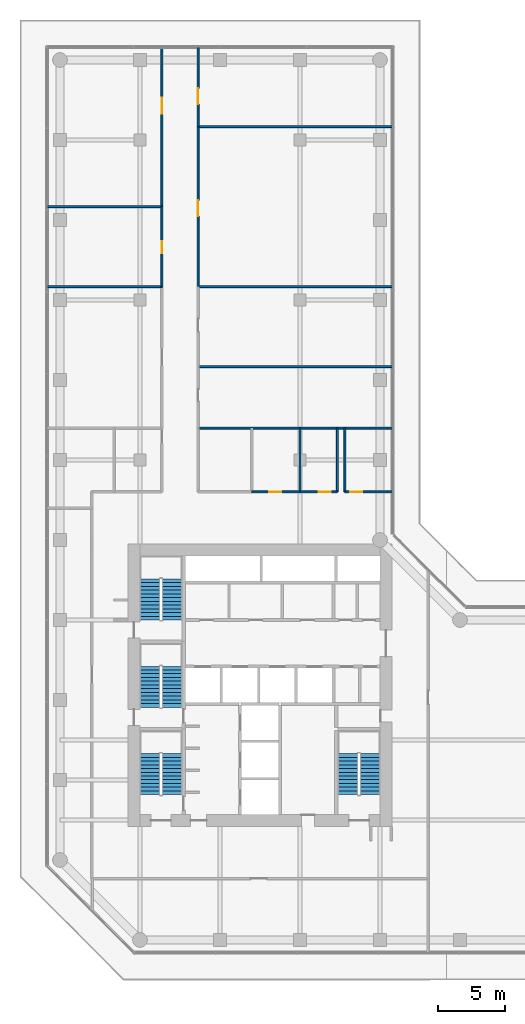
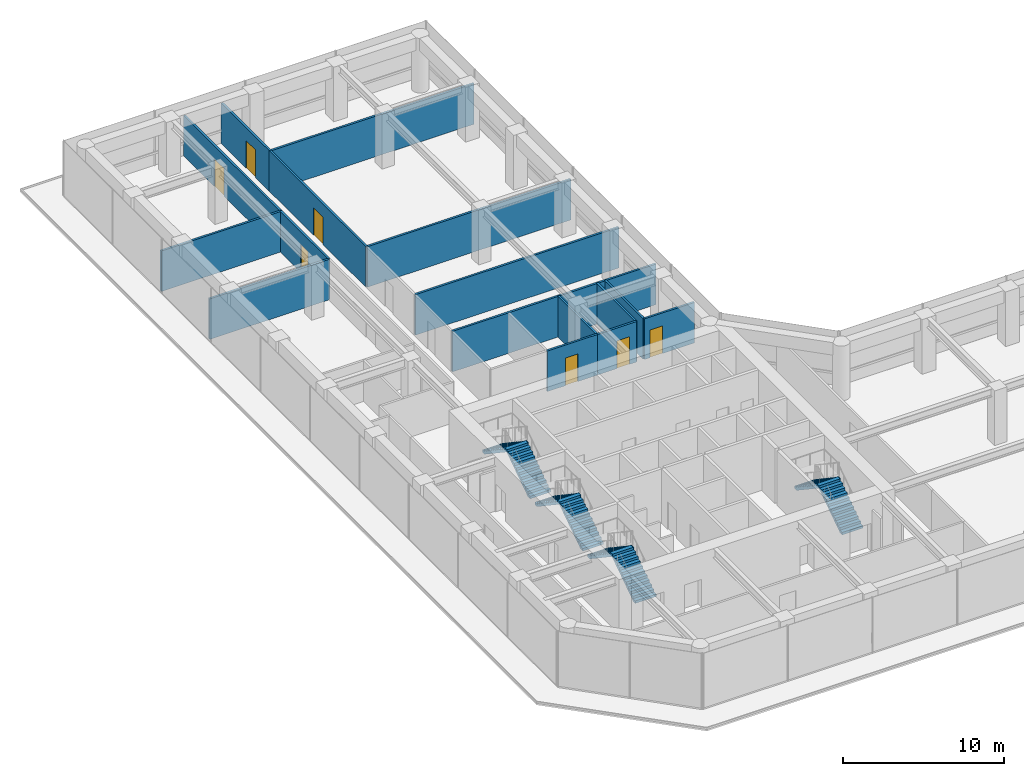
# One storey, part 23 of 24: 16 walls, 8 stair flights, 7 doors, 7 openings, 4 elements without a shape of their own.
"""IFC4 building model written with IfcOpenShell, lengths in metres."""

from ifc_helpers import new_model, si_unit, direction, frame, frame_2d, origin, place, context, subcontext, project, spatial, polyline, rectangle, outline, extrude, material, layer, layer_set, type_object, element, fill, aggregate, save


model = new_model("IFC4")

# Units and contexts
model_context = context("Model", 3, precision=1e-05, world=origin(), true_north=direction((0.0, 1.0)))
body_context = subcontext(model_context, "Body", "Model", "MODEL_VIEW")
ifc_project = project(units=[si_unit("LENGTHUNIT", "METRE"), si_unit("AREAUNIT", "SQUARE_METRE"), si_unit("VOLUMEUNIT", "CUBIC_METRE"), si_unit("PLANEANGLEUNIT", "RADIAN"), si_unit("MASSUNIT", "GRAM", prefix="KILO")], contexts=[model_context])

# Site, building, storey
site_placement = place(None, origin())
site = spatial("IfcSite", under=ifc_project, at=site_placement, CompositionType="ELEMENT")
building_placement = place(site_placement, origin())
building = spatial("IfcBuilding", under=site, at=building_placement, Name="Welwitschia Terrace Campus", CompositionType="ELEMENT")
storey_placement = place(building_placement, frame((0.0, 0.0, 20.0)))
storey = spatial("IfcBuildingStorey", under=building, at=storey_placement, Name="L04", CompositionType="ELEMENT", Elevation=20.0)

# Walls
ifc_material_1 = material(Name="Gypsum board on steel studs", Category="steel")
ifc_layer = layer(ifc_material_1, 0.14990234375)
ifc_layer_set = layer_set([ifc_layer], Name="Gypsum board on steel studs")
wall_type = type_object("IfcWallType", Name="Corridor partition 150 EI 30", PredefinedType="PARTITIONING", material=ifc_layer_set)
for number, where, z_axis, x_axis, name in (
    (1, (-0.969970703125, 45.0, 0.0), (0.0, 0.0, 1.0), (1.0, 0.0, 0.0), "Partition"),
    (2, (-0.969970703125, 51.0, 0.0), (0.0, 0.0, 1.0), (1.0, 0.0, 0.0), "Partition"),
):
    element("IfcWall", number, at=place(storey_placement, frame(where, z_axis=z_axis, x_axis=x_axis)), inside=storey, type_object=wall_type, Name=name, PredefinedType="PARTITIONING", context=body_context, shape_type="SweptSolid", body=[
        extrude(rectangle(XDim=8.619873046875, YDim=0.14990234375, at=frame_2d((4.31005859375, 0.0))), origin(), (0.0, 0.0, 1.0), 3.080078125),
    ])

# Wall, opening, door
wall_1_placement = place(storey_placement, frame((7.64990234375, 45.0, 0.0), z_axis=(0.0, 0.0, 1.0), x_axis=(0.0, 1.0, 0.0)))
wall_1 = element("IfcWall", 3, at=wall_1_placement, inside=storey, type_object=wall_type, Name="Partition", PredefinedType="PARTITIONING", context=body_context, shape_type="SweptSolid", body=[
    extrude(rectangle(XDim=6.0, YDim=0.14990234375, at=frame_2d((3.0, 0.0))), origin(), (0.0, 0.0, 1.0), 3.080078125),
])
opening_1_placement = place(wall_1_placement, frame((2.5, 0.0, 0.0)))
opening_1 = element("IfcOpeningElement", 4, at=opening_1_placement, cuts=wall_1, Name="Opening DI09", PredefinedType="OPENING", context=body_context, shape_type="SweptSolid", body=[
    extrude(rectangle(XDim=0.89990234375, YDim=2.10009765625, at=frame_2d((0.449951171875, 1.050048828125))), frame((0.0, 0.0849609375, 0.0), z_axis=(0.0, -1.0, 0.0), x_axis=(1.0, 0.0, 0.0)), (0.0, 0.0, 1.0), 0.169921875),
])
ifc_material_2 = material(Name="Timber veneered door", Category="wood")
door_type_1 = type_object("IfcDoorType", Name="Interior door DI09", OperationType="NOTDEFINED", PredefinedType="DOOR", material=ifc_material_2)
door_1_placement = place(opening_1_placement, origin())
door_1 = element("IfcDoor", 5, at=door_1_placement, inside=storey, type_object=door_type_1, Name="Door L04 124", OperationType="SINGLE_SWING_LEFT", OverallHeight=2.10009765625, OverallWidth=0.89990234375, PredefinedType="DOOR", context=body_context, shape_type="SweptSolid", body=[
    extrude(rectangle(XDim=0.89990234375, YDim=2.10009765625, at=frame_2d((0.449951171875, 1.050048828125))), frame((0.0, 0.02490234375, 0.0), z_axis=(0.0, -1.0, 0.0), x_axis=(1.0, 0.0, 0.0)), (0.0, 0.0, 1.0), 0.050048828125),
])
fill(opening_1, door_1)

wall_2_placement = place(storey_placement, frame((7.64990234375, 51.0, 0.0), z_axis=(0.0, 0.0, 1.0), x_axis=(0.0, 1.0, 0.0)))
wall_2 = element("IfcWall", 6, at=wall_2_placement, inside=storey, type_object=wall_type, Name="Partition", PredefinedType="PARTITIONING", context=body_context, shape_type="SweptSolid", body=[
    extrude(rectangle(XDim=11.969970703125, YDim=0.14990234375, at=frame_2d((5.98486328125, 0.0))), origin(), (0.0, 0.0, 1.0), 3.080078125),
])
opening_2_placement = place(wall_2_placement, frame((6.969970703125, 0.0, 0.0)))
opening_2 = element("IfcOpeningElement", 7, at=opening_2_placement, cuts=wall_2, Name="Opening DI12", PredefinedType="OPENING", context=body_context, shape_type="SweptSolid", body=[
    extrude(rectangle(XDim=1.199951171875, YDim=2.10009765625, at=frame_2d((0.60009765625, 1.050048828125))), frame((0.0, 0.0849609375, 0.0), z_axis=(0.0, -1.0, 0.0), x_axis=(1.0, 0.0, 0.0)), (0.0, 0.0, 1.0), 0.169921875),
])
ifc_material_3 = material(Name="Timber veneered door", Category="wood")
door_type_2 = type_object("IfcDoorType", Name="Interior door DI12", OperationType="NOTDEFINED", PredefinedType="DOOR", material=ifc_material_3)
door_2_placement = place(opening_2_placement, origin())
door_2 = element("IfcDoor", 8, at=door_2_placement, inside=storey, type_object=door_type_2, Name="Door L04 125", OperationType="SINGLE_SWING_RIGHT", OverallHeight=2.10009765625, OverallWidth=1.199951171875, PredefinedType="DOOR", context=body_context, shape_type="SweptSolid", body=[
    extrude(rectangle(XDim=1.199951171875, YDim=2.10009765625, at=frame_2d((0.60009765625, 1.050048828125))), frame((0.0, 0.02490234375, 0.0), z_axis=(0.0, -1.0, 0.0), x_axis=(1.0, 0.0, 0.0)), (0.0, 0.0, 1.0), 0.050048828125),
])
fill(opening_2, door_2)

# Walls
for number, where, z_axis, x_axis, name in (
    (9, (10.35009765625, 34.39990234375, 0.0), (0.0, 0.0, 1.0), (1.0, 0.0, 0.0), "Partition"),
    (10, (10.35009765625, 39.0, 0.0), (0.0, 0.0, 1.0), (1.0, 0.0, 0.0), "Partition"),
    (11, (10.35009765625, 45.0, 0.0), (0.0, 0.0, 1.0), (1.0, 0.0, 0.0), "Partition"),
):
    element("IfcWall", number, at=place(storey_placement, frame(where, z_axis=z_axis, x_axis=x_axis)), inside=storey, type_object=wall_type, Name=name, PredefinedType="PARTITIONING", context=body_context, shape_type="SweptSolid", body=[
        extrude(rectangle(XDim=14.619873046875, YDim=0.14990234375, at=frame_2d((7.31005859375, 0.0))), origin(), (0.0, 0.0, 1.0), 3.080078125),
    ])

# Wall, opening, door
wall_3_placement = place(storey_placement, frame((10.35009765625, 57.0, 0.0), z_axis=(0.0, 0.0, 1.0), x_axis=(0.0, -1.0, 0.0)))
wall_3 = element("IfcWall", 12, at=wall_3_placement, inside=storey, type_object=wall_type, Name="Partition", PredefinedType="PARTITIONING", context=body_context, shape_type="SweptSolid", body=[
    extrude(rectangle(XDim=12.0, YDim=0.14990234375, at=frame_2d((6.0, 0.0))), origin(), (0.0, 0.0, 1.0), 3.080078125),
])
opening_3_placement = place(wall_3_placement, frame((5.5, 0.0, 0.0)))
opening_3 = element("IfcOpeningElement", 13, at=opening_3_placement, cuts=wall_3, Name="Opening DI12", PredefinedType="OPENING", context=body_context, shape_type="SweptSolid", body=[
    extrude(rectangle(XDim=1.199951171875, YDim=2.10009765625, at=frame_2d((0.60009765625, 1.050048828125))), frame((0.0, 0.0849609375, 0.0), z_axis=(0.0, -1.0, 0.0), x_axis=(1.0, 0.0, 0.0)), (0.0, 0.0, 1.0), 0.169921875),
])
door_3_placement = place(opening_3_placement, origin())
door_3 = element("IfcDoor", 14, at=door_3_placement, inside=storey, type_object=door_type_2, Name="Door L04 128", OperationType="SINGLE_SWING_LEFT", OverallHeight=2.10009765625, OverallWidth=1.199951171875, PredefinedType="DOOR", context=body_context, shape_type="SweptSolid", body=[
    extrude(rectangle(XDim=1.199951171875, YDim=2.10009765625, at=frame_2d((0.60009765625, 1.050048828125))), frame((0.0, 0.02490234375, 0.0), z_axis=(0.0, -1.0, 0.0), x_axis=(1.0, 0.0, 0.0)), (0.0, 0.0, 1.0), 0.050048828125),
])
fill(opening_3, door_3)

# Wall
wall_4_placement = place(storey_placement, frame((10.35009765625, 57.0, 0.0), z_axis=(0.0, 0.0, 1.0), x_axis=(1.0, 0.0, 0.0)))
element("IfcWall", 15, at=wall_4_placement, inside=storey, type_object=wall_type, Name="Partition", PredefinedType="PARTITIONING", context=body_context, shape_type="SweptSolid", body=[
    extrude(rectangle(XDim=14.60498046875, YDim=0.14990234375, at=frame_2d((7.302490234375, 0.0))), origin(), (0.0, 0.0, 1.0), 3.080078125),
])

# Wall, opening, door
wall_5_placement = place(storey_placement, frame((10.35009765625, 62.969970703125, 0.0), z_axis=(0.0, 0.0, 1.0), x_axis=(0.0, -1.0, 0.0)))
wall_5 = element("IfcWall", 16, at=wall_5_placement, inside=storey, type_object=wall_type, Name="Partition", PredefinedType="PARTITIONING", context=body_context, shape_type="SweptSolid", body=[
    extrude(rectangle(XDim=5.969970703125, YDim=0.14990234375, at=frame_2d((2.98486328125, 0.0))), origin(), (0.0, 0.0, 1.0), 3.080078125),
])
opening_4_placement = place(wall_5_placement, frame((3.070068359375, 0.0, 0.0)))
opening_4 = element("IfcOpeningElement", 17, at=opening_4_placement, cuts=wall_5, Name="Opening DI12", PredefinedType="OPENING", context=body_context, shape_type="SweptSolid", body=[
    extrude(rectangle(XDim=1.199951171875, YDim=2.10009765625, at=frame_2d((0.60009765625, 1.050048828125))), frame((0.0, 0.0849609375, 0.0), z_axis=(0.0, -1.0, 0.0), x_axis=(1.0, 0.0, 0.0)), (0.0, 0.0, 1.0), 0.169921875),
])
door_4_placement = place(opening_4_placement, origin())
door_4 = element("IfcDoor", 18, at=door_4_placement, inside=storey, type_object=door_type_2, Name="Door L04 129", OperationType="SINGLE_SWING_RIGHT", OverallHeight=2.10009765625, OverallWidth=1.199951171875, PredefinedType="DOOR", context=body_context, shape_type="SweptSolid", body=[
    extrude(rectangle(XDim=1.199951171875, YDim=2.10009765625, at=frame_2d((0.60009765625, 1.050048828125))), frame((0.0, 0.02490234375, 0.0), z_axis=(0.0, -1.0, 0.0), x_axis=(1.0, 0.0, 0.0)), (0.0, 0.0, 1.0), 0.050048828125),
])
fill(opening_4, door_4)

wall_6_placement = place(storey_placement, frame((14.39990234375, 29.60009765625, 0.0), z_axis=(0.0, 0.0, 1.0), x_axis=(1.0, 0.0, 0.0)))
wall_6 = element("IfcWall", 19, at=wall_6_placement, inside=storey, type_object=wall_type, Name="Partition", PredefinedType="PARTITIONING", context=body_context, shape_type="SweptSolid", body=[
    extrude(rectangle(XDim=3.60009765625, YDim=0.14990234375, at=frame_2d((1.800048828125, 0.0))), origin(), (0.0, 0.0, 1.0), 3.080078125),
])
opening_5_placement = place(wall_6_placement, frame((1.300048828125, 0.0, 0.0)))
opening_5 = element("IfcOpeningElement", 20, at=opening_5_placement, cuts=wall_6, Name="Opening DI09", PredefinedType="OPENING", context=body_context, shape_type="SweptSolid", body=[
    extrude(rectangle(XDim=0.89990234375, YDim=2.10009765625, at=frame_2d((0.449951171875, 1.050048828125))), frame((0.0, 0.0849609375, 0.0), z_axis=(0.0, -1.0, 0.0), x_axis=(1.0, 0.0, 0.0)), (0.0, 0.0, 1.0), 0.169921875),
])
door_5_placement = place(opening_5_placement, origin())
door_5 = element("IfcDoor", 21, at=door_5_placement, inside=storey, type_object=door_type_1, Name="Door L04 130", OperationType="SINGLE_SWING_LEFT", OverallHeight=2.10009765625, OverallWidth=0.89990234375, PredefinedType="DOOR", context=body_context, shape_type="SweptSolid", body=[
    extrude(rectangle(XDim=0.89990234375, YDim=2.10009765625, at=frame_2d((0.449951171875, 1.050048828125))), frame((0.0, 0.02490234375, 0.0), z_axis=(0.0, -1.0, 0.0), x_axis=(1.0, 0.0, 0.0)), (0.0, 0.0, 1.0), 0.050048828125),
])
fill(opening_5, door_5)

# Wall
wall_7_placement = place(storey_placement, frame((18.0, 29.60009765625, 0.0), z_axis=(0.0, 0.0, 1.0), x_axis=(0.0, 1.0, 0.0)))
element("IfcWall", 22, at=wall_7_placement, inside=storey, type_object=wall_type, Name="Partition", PredefinedType="PARTITIONING", context=body_context, shape_type="SweptSolid", body=[
    extrude(rectangle(XDim=4.7998046875, YDim=0.14990234375, at=frame_2d((2.39990234375, 0.0))), origin(), (0.0, 0.0, 1.0), 3.080078125),
])

# Wall, opening, door
wall_8_placement = place(storey_placement, frame((18.0, 29.60009765625, 0.0), z_axis=(0.0, 0.0, 1.0), x_axis=(1.0, 0.0, 0.0)))
wall_8 = element("IfcWall", 23, at=wall_8_placement, inside=storey, type_object=wall_type, Name="Partition", PredefinedType="PARTITIONING", context=body_context, shape_type="SweptSolid", body=[
    extrude(rectangle(XDim=2.800048828125, YDim=0.14990234375, at=frame_2d((1.39990234375, 0.0))), origin(), (0.0, 0.0, 1.0), 3.080078125),
])
opening_6_placement = place(wall_8_placement, frame((1.39990234375, 0.0, 0.0)))
opening_6 = element("IfcOpeningElement", 24, at=opening_6_placement, cuts=wall_8, Name="Opening DI09", PredefinedType="OPENING", context=body_context, shape_type="SweptSolid", body=[
    extrude(rectangle(XDim=0.89990234375, YDim=2.10009765625, at=frame_2d((0.449951171875, 1.050048828125))), frame((0.0, 0.0849609375, 0.0), z_axis=(0.0, -1.0, 0.0), x_axis=(1.0, 0.0, 0.0)), (0.0, 0.0, 1.0), 0.169921875),
])
door_6_placement = place(opening_6_placement, origin())
door_6 = element("IfcDoor", 25, at=door_6_placement, inside=storey, type_object=door_type_1, Name="Door L04 131", OperationType="SINGLE_SWING_RIGHT", OverallHeight=2.10009765625, OverallWidth=0.89990234375, PredefinedType="DOOR", context=body_context, shape_type="SweptSolid", body=[
    extrude(rectangle(XDim=0.89990234375, YDim=2.10009765625, at=frame_2d((0.449951171875, 1.050048828125))), frame((0.0, 0.02490234375, 0.0), z_axis=(0.0, -1.0, 0.0), x_axis=(1.0, 0.0, 0.0)), (0.0, 0.0, 1.0), 0.050048828125),
])
fill(opening_6, door_6)

# Walls
for number, where, z_axis, x_axis, name in (
    (26, (20.800048828125, 29.60009765625, 0.0), (0.0, 0.0, 1.0), (0.0, 1.0, 0.0), "Partition"),
    (27, (21.3701171875, 29.60009765625, 0.0), (0.0, 0.0, 1.0), (0.0, 1.0, 0.0), "Partition"),
):
    element("IfcWall", number, at=place(storey_placement, frame(where, z_axis=z_axis, x_axis=x_axis)), inside=storey, type_object=wall_type, Name=name, PredefinedType="PARTITIONING", context=body_context, shape_type="SweptSolid", body=[
        extrude(rectangle(XDim=4.7998046875, YDim=0.14990234375, at=frame_2d((2.39990234375, 0.0))), origin(), (0.0, 0.0, 1.0), 3.080078125),
    ])

# Wall, opening, door
wall_9_placement = place(storey_placement, frame((21.3701171875, 29.60009765625, 0.0), z_axis=(0.0, 0.0, 1.0), x_axis=(1.0, 0.0, 0.0)))
wall_9 = element("IfcWall", 28, at=wall_9_placement, inside=storey, type_object=wall_type, Name="Partition", PredefinedType="PARTITIONING", context=body_context, shape_type="SweptSolid", body=[
    extrude(rectangle(XDim=3.599853515625, YDim=0.14990234375, at=frame_2d((1.7998046875, 0.0))), origin(), (0.0, 0.0, 1.0), 3.080078125),
])
opening_7_placement = place(wall_9_placement, frame((0.39990234375, 0.0, 0.0)))
opening_7 = element("IfcOpeningElement", 29, at=opening_7_placement, cuts=wall_9, Name="Opening DI09", PredefinedType="OPENING", context=body_context, shape_type="SweptSolid", body=[
    extrude(rectangle(XDim=0.89990234375, YDim=2.10009765625, at=frame_2d((0.449951171875, 1.050048828125))), frame((0.0, 0.0849609375, 0.0), z_axis=(0.0, -1.0, 0.0), x_axis=(1.0, 0.0, 0.0)), (0.0, 0.0, 1.0), 0.169921875),
])
door_7_placement = place(opening_7_placement, origin())
door_7 = element("IfcDoor", 30, at=door_7_placement, inside=storey, type_object=door_type_1, Name="Door L04 132", OperationType="SINGLE_SWING_LEFT", OverallHeight=2.10009765625, OverallWidth=0.89990234375, PredefinedType="DOOR", context=body_context, shape_type="SweptSolid", body=[
    extrude(rectangle(XDim=0.89990234375, YDim=2.10009765625, at=frame_2d((0.449951171875, 1.050048828125))), frame((0.0, 0.02490234375, 0.0), z_axis=(0.0, -1.0, 0.0), x_axis=(1.0, 0.0, 0.0)), (0.0, 0.0, 1.0), 0.050048828125),
])
fill(opening_7, door_7)

# Stair, stair flights
ifc_material_4 = material(Name="Concrete C40/50", Category="concrete")
stair_type = type_object("IfcStairType", Name="Stair 24R 188 W1500", PredefinedType="HALF_TURN_STAIR", material=ifc_material_4)
stair_1_placement = place(storey_placement, origin())
stair_1 = element("IfcStair", 31, at=stair_1_placement, inside=storey, type_object=stair_type, Name="L04 Exit stair S1", PredefinedType="HALF_TURN_STAIR")
ifc_material_5 = material(Name="Concrete C40/50", Category="concrete")
stair_flight_type = type_object("IfcStairFlightType", Name="Stair flight 24R 188 W1500", PredefinedType="STRAIGHT", material=ifc_material_5)
stair_flight_1_placement = place(storey_placement, frame((8.39990234375, 6.89990234375, 0.0), z_axis=(0.0, 0.0, 1.0), x_axis=(0.0, 1.0, 0.0)))
stair_flight_1 = element("IfcStairFlight", 32, at=stair_flight_1_placement, type_object=stair_flight_type, Name="S1 flight 1", NumberOfRisers=12, NumberOfTreads=11, PredefinedType="STRAIGHT", RiserHeight=0.1875, TreadLength=0.28, context=body_context, shape_type="SweptSolid", body=[
    extrude(outline(polyline([(0.0, 0.0), (0.0, 0.1875), (0.280029296875, 0.1875), (0.280029296875, 0.375), (0.56005859375, 0.375), (0.56005859375, 0.5625), (0.840087890625, 0.5625), (0.840087890625, 0.75), (1.1201171875, 0.75), (1.1201171875, 0.9375), (1.39990234375, 0.9375), (1.39990234375, 1.125), (1.679931640625, 1.125), (1.679931640625, 1.3125), (1.9599609375, 1.3125), (1.9599609375, 1.5), (2.239990234375, 1.5), (2.239990234375, 1.6875), (2.52001953125, 1.6875), (2.52001953125, 1.875), (2.800048828125, 1.875), (2.800048828125, 2.0625), (3.080078125, 2.0625), (3.080078125, 2.25), (3.080078125, 1.882080078125), (0.26953125, 0.0), (0.0, 0.0)])), frame((0.0, 0.75, 0.0), z_axis=(0.0, -1.0, 0.0), x_axis=(1.0, 0.0, 0.0)), (0.0, 0.0, 1.0), 1.5),
])
stair_flight_2_placement = place(storey_placement, frame((6.75, 9.97998046875, 2.25), z_axis=(0.0, 0.0, 1.0), x_axis=(0.0, -1.0, 0.0)))
stair_flight_2 = element("IfcStairFlight", 33, at=stair_flight_2_placement, type_object=stair_flight_type, Name="S1 flight 2", NumberOfRisers=12, NumberOfTreads=11, PredefinedType="STRAIGHT", RiserHeight=0.1875, TreadLength=0.28, context=body_context, shape_type="SweptSolid", body=[
    extrude(outline(polyline([(0.0, 0.0), (0.0, 0.1875), (0.280029296875, 0.1875), (0.280029296875, 0.375), (0.56005859375, 0.375), (0.56005859375, 0.5625), (0.840087890625, 0.5625), (0.840087890625, 0.75), (1.1201171875, 0.75), (1.1201171875, 0.9375), (1.39990234375, 0.9375), (1.39990234375, 1.125), (1.679931640625, 1.125), (1.679931640625, 1.3125), (1.9599609375, 1.3125), (1.9599609375, 1.5), (2.239990234375, 1.5), (2.239990234375, 1.6875), (2.52001953125, 1.6875), (2.52001953125, 1.875), (2.800048828125, 1.875), (2.800048828125, 2.0625), (3.080078125, 2.0625), (3.080078125, 2.25), (3.080078125, 1.882080078125), (0.26953125, 0.0), (0.0, 0.0)])), frame((0.0, 0.75, 0.0), z_axis=(0.0, -1.0, 0.0), x_axis=(1.0, 0.0, 0.0)), (0.0, 0.0, 1.0), 1.5),
])
aggregate(stair_1, [stair_flight_1, stair_flight_2])

stair_2_placement = place(storey_placement, origin())
stair_2 = element("IfcStair", 34, at=stair_2_placement, inside=storey, type_object=stair_type, Name="L04 Exit stair S3", PredefinedType="HALF_TURN_STAIR")
stair_flight_3_placement = place(storey_placement, frame((8.39990234375, 13.449951171875, 0.0), z_axis=(0.0, 0.0, 1.0), x_axis=(0.0, 1.0, 0.0)))
stair_flight_3 = element("IfcStairFlight", 35, at=stair_flight_3_placement, type_object=stair_flight_type, Name="S3 flight 1", NumberOfRisers=12, NumberOfTreads=11, PredefinedType="STRAIGHT", RiserHeight=0.1875, TreadLength=0.28, context=body_context, shape_type="SweptSolid", body=[
    extrude(outline(polyline([(0.0, 0.0), (0.0, 0.1875), (0.280029296875, 0.1875), (0.280029296875, 0.375), (0.56005859375, 0.375), (0.56005859375, 0.5625), (0.840087890625, 0.5625), (0.840087890625, 0.75), (1.1201171875, 0.75), (1.1201171875, 0.9375), (1.39990234375, 0.9375), (1.39990234375, 1.125), (1.679931640625, 1.125), (1.679931640625, 1.3125), (1.9599609375, 1.3125), (1.9599609375, 1.5), (2.239990234375, 1.5), (2.239990234375, 1.6875), (2.52001953125, 1.6875), (2.52001953125, 1.875), (2.800048828125, 1.875), (2.800048828125, 2.0625), (3.080078125, 2.0625), (3.080078125, 2.25), (3.080078125, 1.882080078125), (0.26953125, 0.0), (0.0, 0.0)])), frame((0.0, 0.75, 0.0), z_axis=(0.0, -1.0, 0.0), x_axis=(1.0, 0.0, 0.0)), (0.0, 0.0, 1.0), 1.5),
])
stair_flight_4_placement = place(storey_placement, frame((6.75, 16.530029296875, 2.25), z_axis=(0.0, 0.0, 1.0), x_axis=(0.0, -1.0, 0.0)))
stair_flight_4 = element("IfcStairFlight", 36, at=stair_flight_4_placement, type_object=stair_flight_type, Name="S3 flight 2", NumberOfRisers=12, NumberOfTreads=11, PredefinedType="STRAIGHT", RiserHeight=0.1875, TreadLength=0.28, context=body_context, shape_type="SweptSolid", body=[
    extrude(outline(polyline([(0.0, 0.0), (0.0, 0.1875), (0.280029296875, 0.1875), (0.280029296875, 0.375), (0.56005859375, 0.375), (0.56005859375, 0.5625), (0.840087890625, 0.5625), (0.840087890625, 0.75), (1.1201171875, 0.75), (1.1201171875, 0.9375), (1.39990234375, 0.9375), (1.39990234375, 1.125), (1.679931640625, 1.125), (1.679931640625, 1.3125), (1.9599609375, 1.3125), (1.9599609375, 1.5), (2.239990234375, 1.5), (2.239990234375, 1.6875), (2.52001953125, 1.6875), (2.52001953125, 1.875), (2.800048828125, 1.875), (2.800048828125, 2.0625), (3.080078125, 2.0625), (3.080078125, 2.25), (3.080078125, 1.882080078125), (0.26953125, 0.0), (0.0, 0.0)])), frame((0.0, 0.75, 0.0), z_axis=(0.0, -1.0, 0.0), x_axis=(1.0, 0.0, 0.0)), (0.0, 0.0, 1.0), 1.5),
])
aggregate(stair_2, [stair_flight_3, stair_flight_4])

stair_3_placement = place(storey_placement, origin())
stair_3 = element("IfcStair", 37, at=stair_3_placement, inside=storey, type_object=stair_type, Name="L04 Exit stair S4", PredefinedType="HALF_TURN_STAIR")
stair_flight_5_placement = place(storey_placement, frame((8.39990234375, 20.0, 0.0), z_axis=(0.0, 0.0, 1.0), x_axis=(0.0, 1.0, 0.0)))
stair_flight_5 = element("IfcStairFlight", 38, at=stair_flight_5_placement, type_object=stair_flight_type, Name="S4 flight 1", NumberOfRisers=12, NumberOfTreads=11, PredefinedType="STRAIGHT", RiserHeight=0.1875, TreadLength=0.28, context=body_context, shape_type="SweptSolid", body=[
    extrude(outline(polyline([(0.0, 0.0), (0.0, 0.1875), (0.280029296875, 0.1875), (0.280029296875, 0.375), (0.56005859375, 0.375), (0.56005859375, 0.5625), (0.840087890625, 0.5625), (0.840087890625, 0.75), (1.1201171875, 0.75), (1.1201171875, 0.9375), (1.39990234375, 0.9375), (1.39990234375, 1.125), (1.679931640625, 1.125), (1.679931640625, 1.3125), (1.9599609375, 1.3125), (1.9599609375, 1.5), (2.239990234375, 1.5), (2.239990234375, 1.6875), (2.52001953125, 1.6875), (2.52001953125, 1.875), (2.800048828125, 1.875), (2.800048828125, 2.0625), (3.080078125, 2.0625), (3.080078125, 2.25), (3.080078125, 1.882080078125), (0.26953125, 0.0), (0.0, 0.0)])), frame((0.0, 0.75, 0.0), z_axis=(0.0, -1.0, 0.0), x_axis=(1.0, 0.0, 0.0)), (0.0, 0.0, 1.0), 1.5),
])
stair_flight_6_placement = place(storey_placement, frame((6.75, 23.080078125, 2.25), z_axis=(0.0, 0.0, 1.0), x_axis=(0.0, -1.0, 0.0)))
stair_flight_6 = element("IfcStairFlight", 39, at=stair_flight_6_placement, type_object=stair_flight_type, Name="S4 flight 2", NumberOfRisers=12, NumberOfTreads=11, PredefinedType="STRAIGHT", RiserHeight=0.1875, TreadLength=0.28, context=body_context, shape_type="SweptSolid", body=[
    extrude(outline(polyline([(0.0, 0.0), (0.0, 0.1875), (0.280029296875, 0.1875), (0.280029296875, 0.375), (0.56005859375, 0.375), (0.56005859375, 0.5625), (0.840087890625, 0.5625), (0.840087890625, 0.75), (1.1201171875, 0.75), (1.1201171875, 0.9375), (1.39990234375, 0.9375), (1.39990234375, 1.125), (1.679931640625, 1.125), (1.679931640625, 1.3125), (1.9599609375, 1.3125), (1.9599609375, 1.5), (2.239990234375, 1.5), (2.239990234375, 1.6875), (2.52001953125, 1.6875), (2.52001953125, 1.875), (2.800048828125, 1.875), (2.800048828125, 2.0625), (3.080078125, 2.0625), (3.080078125, 2.25), (3.080078125, 1.882080078125), (0.26953125, 0.0), (0.0, 0.0)])), frame((0.0, 0.75, 0.0), z_axis=(0.0, -1.0, 0.0), x_axis=(1.0, 0.0, 0.0)), (0.0, 0.0, 1.0), 1.5),
])
aggregate(stair_3, [stair_flight_5, stair_flight_6])

stair_4_placement = place(storey_placement, origin())
stair_4 = element("IfcStair", 40, at=stair_4_placement, inside=storey, type_object=stair_type, Name="L04 Exit stair S2", PredefinedType="HALF_TURN_STAIR")
stair_flight_7_placement = place(storey_placement, frame((23.25, 6.89990234375, 0.0), z_axis=(0.0, 0.0, 1.0), x_axis=(0.0, 1.0, 0.0)))
stair_flight_7 = element("IfcStairFlight", 41, at=stair_flight_7_placement, type_object=stair_flight_type, Name="S2 flight 1", NumberOfRisers=12, NumberOfTreads=11, PredefinedType="STRAIGHT", RiserHeight=0.1875, TreadLength=0.28, context=body_context, shape_type="SweptSolid", body=[
    extrude(outline(polyline([(0.0, 0.0), (0.0, 0.1875), (0.280029296875, 0.1875), (0.280029296875, 0.375), (0.56005859375, 0.375), (0.56005859375, 0.5625), (0.840087890625, 0.5625), (0.840087890625, 0.75), (1.1201171875, 0.75), (1.1201171875, 0.9375), (1.39990234375, 0.9375), (1.39990234375, 1.125), (1.679931640625, 1.125), (1.679931640625, 1.3125), (1.9599609375, 1.3125), (1.9599609375, 1.5), (2.239990234375, 1.5), (2.239990234375, 1.6875), (2.52001953125, 1.6875), (2.52001953125, 1.875), (2.800048828125, 1.875), (2.800048828125, 2.0625), (3.080078125, 2.0625), (3.080078125, 2.25), (3.080078125, 1.882080078125), (0.26953125, 0.0), (0.0, 0.0)])), frame((0.0, 0.75, 0.0), z_axis=(0.0, -1.0, 0.0), x_axis=(1.0, 0.0, 0.0)), (0.0, 0.0, 1.0), 1.5),
])
stair_flight_8_placement = place(storey_placement, frame((21.60009765625, 9.97998046875, 2.25), z_axis=(0.0, 0.0, 1.0), x_axis=(0.0, -1.0, 0.0)))
stair_flight_8 = element("IfcStairFlight", 42, at=stair_flight_8_placement, type_object=stair_flight_type, Name="S2 flight 2", NumberOfRisers=12, NumberOfTreads=11, PredefinedType="STRAIGHT", RiserHeight=0.1875, TreadLength=0.28, context=body_context, shape_type="SweptSolid", body=[
    extrude(outline(polyline([(0.0, 0.0), (0.0, 0.1875), (0.280029296875, 0.1875), (0.280029296875, 0.375), (0.56005859375, 0.375), (0.56005859375, 0.5625), (0.840087890625, 0.5625), (0.840087890625, 0.75), (1.1201171875, 0.75), (1.1201171875, 0.9375), (1.39990234375, 0.9375), (1.39990234375, 1.125), (1.679931640625, 1.125), (1.679931640625, 1.3125), (1.9599609375, 1.3125), (1.9599609375, 1.5), (2.239990234375, 1.5), (2.239990234375, 1.6875), (2.52001953125, 1.6875), (2.52001953125, 1.875), (2.800048828125, 1.875), (2.800048828125, 2.0625), (3.080078125, 2.0625), (3.080078125, 2.25), (3.080078125, 1.882080078125), (0.26953125, 0.0), (0.0, 0.0)])), frame((0.0, 0.75, 0.0), z_axis=(0.0, -1.0, 0.0), x_axis=(1.0, 0.0, 0.0)), (0.0, 0.0, 1.0), 1.5),
])
aggregate(stair_4, [stair_flight_7, stair_flight_8])

save(model, "model.ifc")
